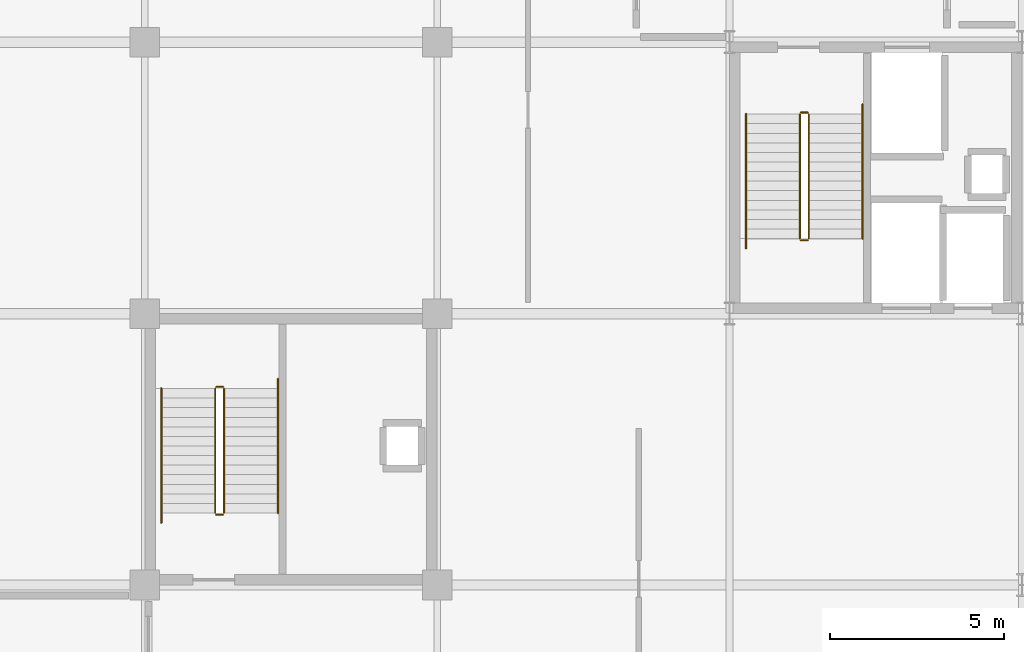
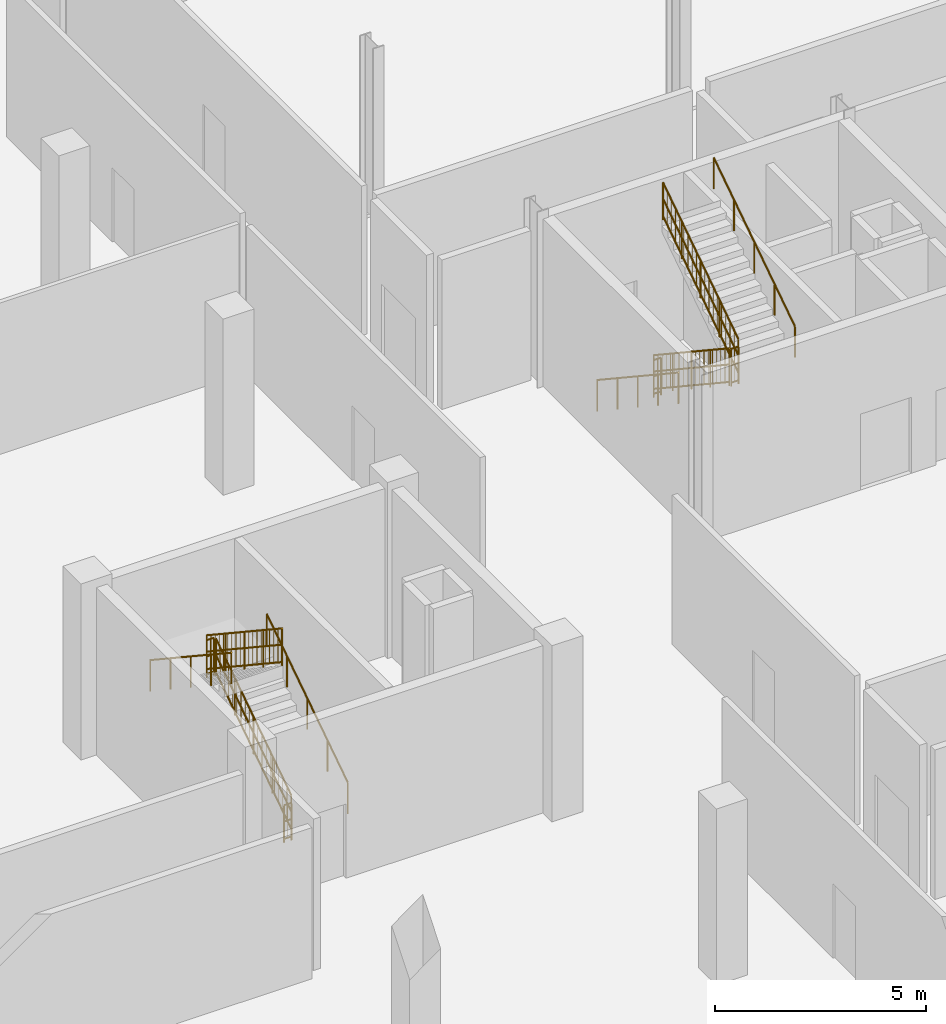
# One storey, part 79 of 80: 12 railings.
"""IFC4 building model written with IfcOpenShell, lengths in metres."""

from ifc_helpers import new_model, si_unit, direction, frame, origin, origin_2d, place, context, subcontext, project, spatial, circle, extrude, material, layer, layer_set, type_object, element, save


model = new_model("IFC4")

# Units and contexts
model_context = context("Model", 3, precision=1e-05, world=origin(), true_north=direction((0.0, 1.0)))
body_context = subcontext(model_context, "Body", "Model", "MODEL_VIEW")
ifc_project = project(units=[si_unit("LENGTHUNIT", "METRE"), si_unit("AREAUNIT", "SQUARE_METRE"), si_unit("VOLUMEUNIT", "CUBIC_METRE"), si_unit("PLANEANGLEUNIT", "RADIAN"), si_unit("MASSUNIT", "GRAM", prefix="KILO")], contexts=[model_context])

# Site, building, storey
site_placement = place(None, origin())
site = spatial("IfcSite", under=ifc_project, at=site_placement, CompositionType="ELEMENT")
building_placement = place(site_placement, origin())
building = spatial("IfcBuilding", under=site, at=building_placement, Name="Nabrawat Pavilion Hospital", CompositionType="ELEMENT")
storey_placement = place(building_placement, origin())
storey = spatial("IfcBuildingStorey", under=building, at=storey_placement, Name="L00", CompositionType="ELEMENT", Elevation=0.0)

# Railings
ifc_material = material(Name="Stainless Steel 316", Category="steel")
ifc_layer_1 = layer(ifc_material, 0.050048828125, Name="Stainless Steel 316")
ifc_layer_set_1 = layer_set([ifc_layer_1], Name="Stainless Steel 316")
railing_type_1 = type_object("IfcRailingType", Name="Stair Open-Well Safety Guardrail 1100", PredefinedType="GUARDRAIL", material=ifc_layer_set_1)
railing_1_placement = place(storey_placement, frame((170.02490234375, 75.929931640625, 0.18212890625)))
element("IfcRailing", 1, at=railing_1_placement, inside=storey, type_object=railing_type_1, Name="L00 ST-06 stair guard 1", PredefinedType="GUARDRAIL", context=body_context, shape_type="SweptSolid", body=[
    extrude(circle(Radius=0.02392578125, at=origin_2d()), frame((0.0, 0.0, 1.076171875), z_axis=(0.0, -0.833702089047, 0.552214475289), x_axis=(1.0, 0.0, 0.0)), (0.0, 0.0, 1.0), 4.2880859375),
    extrude(circle(Radius=0.02392578125, at=origin_2d()), frame((0.0, 0.0, 0.10009765625), z_axis=(0.0, -0.833702089047, 0.552214475289), x_axis=(1.0, 0.0, 0.0)), (0.0, 0.0, 1.0), 4.2880859375),
    extrude(circle(Radius=0.02392578125, at=origin_2d()), frame((0.0, 0.0, 0.60498046875), z_axis=(0.0, -0.833702089047, 0.552214475289), x_axis=(1.0, 0.0, 0.0)), (0.0, 0.0, 1.0), 4.2880859375),
    extrude(circle(Radius=0.008056640625, at=origin_2d()), frame((0.0, -0.19873046875, 0.2314453125)), (0.0, 0.0, 1.0), 0.951904296875),
    extrude(circle(Radius=0.008056640625, at=origin_2d()), frame((0.0, -0.397216796875, 0.363037109375)), (0.0, 0.0, 1.0), 0.951904296875),
    extrude(circle(Radius=0.008056640625, at=origin_2d()), frame((0.0, -0.595703125, 0.49462890625)), (0.0, 0.0, 1.0), 0.951904296875),
    extrude(circle(Radius=0.008056640625, at=origin_2d()), frame((0.0, -0.79443359375, 0.626220703125)), (0.0, 0.0, 1.0), 0.951904296875),
    extrude(circle(Radius=0.008056640625, at=origin_2d()), frame((0.0, -0.9931640625, 0.7578125)), (0.0, 0.0, 1.0), 0.951904296875),
    extrude(circle(Radius=0.008056640625, at=origin_2d()), frame((0.0, -1.191650390625, 0.889404296875)), (0.0, 0.0, 1.0), 0.951904296875),
    extrude(circle(Radius=0.008056640625, at=origin_2d()), frame((0.0, -1.39013671875, 1.020751953125)), (0.0, 0.0, 1.0), 0.951904296875),
    extrude(circle(Radius=0.008056640625, at=origin_2d()), frame((0.0, -1.5888671875, 1.15234375)), (0.0, 0.0, 1.0), 0.951904296875),
    extrude(circle(Radius=0.008056640625, at=origin_2d()), frame((0.0, -1.986083984375, 1.41552734375)), (0.0, 0.0, 1.0), 0.951904296875),
    extrude(circle(Radius=0.008056640625, at=origin_2d()), frame((0.0, -2.1845703125, 1.547119140625)), (0.0, 0.0, 1.0), 0.951904296875),
    extrude(circle(Radius=0.008056640625, at=origin_2d()), frame((0.0, -2.38330078125, 1.6787109375)), (0.0, 0.0, 1.0), 0.951904296875),
    extrude(circle(Radius=0.008056640625, at=origin_2d()), frame((0.0, -2.58203125, 1.81005859375)), (0.0, 0.0, 1.0), 0.951904296875),
    extrude(circle(Radius=0.008056640625, at=origin_2d()), frame((0.0, -2.780517578125, 1.941650390625)), (0.0, 0.0, 1.0), 0.951904296875),
    extrude(circle(Radius=0.008056640625, at=origin_2d()), frame((0.0, -2.97900390625, 2.0732421875)), (0.0, 0.0, 1.0), 0.951904296875),
    extrude(circle(Radius=0.008056640625, at=origin_2d()), frame((0.0, -3.177734375, 2.204833984375)), (0.0, 0.0, 1.0), 0.951904296875),
    extrude(circle(Radius=0.008056640625, at=origin_2d()), frame((0.0, -3.37646484375, 2.33642578125)), (0.0, 0.0, 1.0), 0.951904296875),
    extrude(circle(Radius=0.02099609375, at=origin_2d()), origin(), (0.0, 0.0, 1.0), 1.052001953125),
    extrude(circle(Radius=0.02099609375, at=origin_2d()), frame((0.0, -0.893798828125, 0.592041015625)), (0.0, 0.0, 1.0), 1.052001953125),
    extrude(circle(Radius=0.02099609375, at=origin_2d()), frame((0.0, -1.78759765625, 1.18408203125)), (0.0, 0.0, 1.0), 1.052001953125),
    extrude(circle(Radius=0.02099609375, at=origin_2d()), frame((0.0, -2.68115234375, 1.77587890625)), (0.0, 0.0, 1.0), 1.052001953125),
    extrude(circle(Radius=0.02099609375, at=origin_2d()), frame((0.0, -3.574951171875, 2.367919921875)), (0.0, 0.0, 1.0), 1.052001953125),
])
railing_2_placement = place(storey_placement, frame((170.050048828125, 72.304931640625, 2.550048828125)))
element("IfcRailing", 2, at=railing_2_placement, inside=storey, type_object=railing_type_1, Name="L00 ST-06 stair guard 2", PredefinedType="GUARDRAIL", context=body_context, shape_type="SweptSolid", body=[
    extrude(circle(Radius=0.02392578125, at=origin_2d()), frame((0.0, 0.0, 1.076171875), z_axis=(1.0, 0.0, 0.0), x_axis=(0.0, 1.0, 0.0)), (0.0, 0.0, 1.0), 0.199951171875),
    extrude(circle(Radius=0.02392578125, at=origin_2d()), frame((0.0, 0.0, 0.10009765625), z_axis=(1.0, 0.0, 0.0), x_axis=(0.0, 1.0, 0.0)), (0.0, 0.0, 1.0), 0.199951171875),
    extrude(circle(Radius=0.02392578125, at=origin_2d()), frame((0.0, 0.0, 0.60498046875), z_axis=(1.0, 0.0, 0.0), x_axis=(0.0, 1.0, 0.0)), (0.0, 0.0, 1.0), 0.199951171875),
    extrude(circle(Radius=0.008056640625, at=origin_2d()), frame((0.10009765625, 0.0, 0.10009765625)), (0.0, 0.0, 1.0), 0.951904296875),
    extrude(circle(Radius=0.02099609375, at=origin_2d()), origin(), (0.0, 0.0, 1.0), 1.052001953125),
    extrude(circle(Radius=0.02099609375, at=origin_2d()), frame((0.199951171875, 0.0, 0.0)), (0.0, 0.0, 1.0), 1.052001953125),
])
railing_3_placement = place(storey_placement, frame((170.27490234375, 72.35498046875, 2.732177734375)))
element("IfcRailing", 3, at=railing_3_placement, inside=storey, type_object=railing_type_1, Name="L00 ST-06 stair guard 3", PredefinedType="GUARDRAIL", context=body_context, shape_type="SweptSolid", body=[
    extrude(circle(Radius=0.02392578125, at=origin_2d()), frame((0.0, 0.0, 1.076171875), z_axis=(0.0, 0.833702089047, 0.552214475289), x_axis=(-1.0, 0.0, 0.0)), (0.0, 0.0, 1.0), 4.2880859375),
    extrude(circle(Radius=0.02392578125, at=origin_2d()), frame((0.0, 0.0, 0.10009765625), z_axis=(0.0, 0.833702089047, 0.552214475289), x_axis=(-1.0, 0.0, 0.0)), (0.0, 0.0, 1.0), 4.2880859375),
    extrude(circle(Radius=0.02392578125, at=origin_2d()), frame((0.0, 0.0, 0.60498046875), z_axis=(0.0, 0.833702089047, 0.552214475289), x_axis=(-1.0, 0.0, 0.0)), (0.0, 0.0, 1.0), 4.2880859375),
    extrude(circle(Radius=0.008056640625, at=origin_2d()), frame((0.0, 0.19873046875, 0.2314453125)), (0.0, 0.0, 1.0), 0.951904296875),
    extrude(circle(Radius=0.008056640625, at=origin_2d()), frame((0.0, 0.397216796875, 0.363037109375)), (0.0, 0.0, 1.0), 0.951904296875),
    extrude(circle(Radius=0.008056640625, at=origin_2d()), frame((0.0, 0.595703125, 0.49462890625)), (0.0, 0.0, 1.0), 0.951904296875),
    extrude(circle(Radius=0.008056640625, at=origin_2d()), frame((0.0, 0.79443359375, 0.626220703125)), (0.0, 0.0, 1.0), 0.951904296875),
    extrude(circle(Radius=0.008056640625, at=origin_2d()), frame((0.0, 0.9931640625, 0.7578125)), (0.0, 0.0, 1.0), 0.951904296875),
    extrude(circle(Radius=0.008056640625, at=origin_2d()), frame((0.0, 1.191650390625, 0.889404296875)), (0.0, 0.0, 1.0), 0.951904296875),
    extrude(circle(Radius=0.008056640625, at=origin_2d()), frame((0.0, 1.39013671875, 1.020751953125)), (0.0, 0.0, 1.0), 0.951904296875),
    extrude(circle(Radius=0.008056640625, at=origin_2d()), frame((0.0, 1.5888671875, 1.15234375)), (0.0, 0.0, 1.0), 0.951904296875),
    extrude(circle(Radius=0.008056640625, at=origin_2d()), frame((0.0, 1.986083984375, 1.41552734375)), (0.0, 0.0, 1.0), 0.951904296875),
    extrude(circle(Radius=0.008056640625, at=origin_2d()), frame((0.0, 2.1845703125, 1.547119140625)), (0.0, 0.0, 1.0), 0.951904296875),
    extrude(circle(Radius=0.008056640625, at=origin_2d()), frame((0.0, 2.38330078125, 1.6787109375)), (0.0, 0.0, 1.0), 0.951904296875),
    extrude(circle(Radius=0.008056640625, at=origin_2d()), frame((0.0, 2.58203125, 1.81005859375)), (0.0, 0.0, 1.0), 0.951904296875),
    extrude(circle(Radius=0.008056640625, at=origin_2d()), frame((0.0, 2.780517578125, 1.941650390625)), (0.0, 0.0, 1.0), 0.951904296875),
    extrude(circle(Radius=0.008056640625, at=origin_2d()), frame((0.0, 2.97900390625, 2.0732421875)), (0.0, 0.0, 1.0), 0.951904296875),
    extrude(circle(Radius=0.008056640625, at=origin_2d()), frame((0.0, 3.177734375, 2.204833984375)), (0.0, 0.0, 1.0), 0.951904296875),
    extrude(circle(Radius=0.008056640625, at=origin_2d()), frame((0.0, 3.37646484375, 2.33642578125)), (0.0, 0.0, 1.0), 0.951904296875),
    extrude(circle(Radius=0.02099609375, at=origin_2d()), origin(), (0.0, 0.0, 1.0), 1.052001953125),
    extrude(circle(Radius=0.02099609375, at=origin_2d()), frame((0.0, 0.893798828125, 0.592041015625)), (0.0, 0.0, 1.0), 1.052001953125),
    extrude(circle(Radius=0.02099609375, at=origin_2d()), frame((0.0, 1.78759765625, 1.18408203125)), (0.0, 0.0, 1.0), 1.052001953125),
    extrude(circle(Radius=0.02099609375, at=origin_2d()), frame((0.0, 2.68115234375, 1.77587890625)), (0.0, 0.0, 1.0), 1.052001953125),
    extrude(circle(Radius=0.02099609375, at=origin_2d()), frame((0.0, 3.574951171875, 2.367919921875)), (0.0, 0.0, 1.0), 1.052001953125),
])
railing_4_placement = place(storey_placement, frame((170.050048828125, 75.97998046875, 0.0)))
element("IfcRailing", 4, at=railing_4_placement, inside=storey, type_object=railing_type_1, Name="L00 ST-06 stair guard 4", PredefinedType="GUARDRAIL", context=body_context, shape_type="SweptSolid", body=[
    extrude(circle(Radius=0.02392578125, at=origin_2d()), frame((0.0, 0.0, 1.076171875), z_axis=(1.0, 0.0, 0.0), x_axis=(0.0, 1.0, 0.0)), (0.0, 0.0, 1.0), 0.199951171875),
    extrude(circle(Radius=0.02392578125, at=origin_2d()), frame((0.0, 0.0, 0.10009765625), z_axis=(1.0, 0.0, 0.0), x_axis=(0.0, 1.0, 0.0)), (0.0, 0.0, 1.0), 0.199951171875),
    extrude(circle(Radius=0.02392578125, at=origin_2d()), frame((0.0, 0.0, 0.60498046875), z_axis=(1.0, 0.0, 0.0), x_axis=(0.0, 1.0, 0.0)), (0.0, 0.0, 1.0), 0.199951171875),
    extrude(circle(Radius=0.008056640625, at=origin_2d()), frame((0.10009765625, 0.0, 0.10009765625)), (0.0, 0.0, 1.0), 0.951904296875),
    extrude(circle(Radius=0.02099609375, at=origin_2d()), origin(), (0.0, 0.0, 1.0), 1.052001953125),
    extrude(circle(Radius=0.02099609375, at=origin_2d()), frame((0.199951171875, 0.0, 0.0)), (0.0, 0.0, 1.0), 1.052001953125),
])
railing_5_placement = place(storey_placement, frame((153.47509765625, 64.469970703125, 0.18212890625)))
element("IfcRailing", 5, at=railing_5_placement, inside=storey, type_object=railing_type_1, Name="L00 ST-09 stair guard 1", PredefinedType="GUARDRAIL", context=body_context, shape_type="SweptSolid", body=[
    extrude(circle(Radius=0.02392578125, at=origin_2d()), frame((0.0, 0.0, 1.076171875), z_axis=(0.0, 0.833702089047, 0.552214475289), x_axis=(-1.0, 0.0, 0.0)), (0.0, 0.0, 1.0), 4.2880859375),
    extrude(circle(Radius=0.02392578125, at=origin_2d()), frame((0.0, 0.0, 0.10009765625), z_axis=(0.0, 0.833702089047, 0.552214475289), x_axis=(-1.0, 0.0, 0.0)), (0.0, 0.0, 1.0), 4.2880859375),
    extrude(circle(Radius=0.02392578125, at=origin_2d()), frame((0.0, 0.0, 0.60498046875), z_axis=(0.0, 0.833702089047, 0.552214475289), x_axis=(-1.0, 0.0, 0.0)), (0.0, 0.0, 1.0), 4.2880859375),
    extrude(circle(Radius=0.008056640625, at=origin_2d()), frame((0.0, 0.19873046875, 0.2314453125)), (0.0, 0.0, 1.0), 0.951904296875),
    extrude(circle(Radius=0.008056640625, at=origin_2d()), frame((0.0, 0.397216796875, 0.363037109375)), (0.0, 0.0, 1.0), 0.951904296875),
    extrude(circle(Radius=0.008056640625, at=origin_2d()), frame((0.0, 0.595703125, 0.49462890625)), (0.0, 0.0, 1.0), 0.951904296875),
    extrude(circle(Radius=0.008056640625, at=origin_2d()), frame((0.0, 0.79443359375, 0.626220703125)), (0.0, 0.0, 1.0), 0.951904296875),
    extrude(circle(Radius=0.008056640625, at=origin_2d()), frame((0.0, 0.9931640625, 0.7578125)), (0.0, 0.0, 1.0), 0.951904296875),
    extrude(circle(Radius=0.008056640625, at=origin_2d()), frame((0.0, 1.191650390625, 0.889404296875)), (0.0, 0.0, 1.0), 0.951904296875),
    extrude(circle(Radius=0.008056640625, at=origin_2d()), frame((0.0, 1.39013671875, 1.020751953125)), (0.0, 0.0, 1.0), 0.951904296875),
    extrude(circle(Radius=0.008056640625, at=origin_2d()), frame((0.0, 1.5888671875, 1.15234375)), (0.0, 0.0, 1.0), 0.951904296875),
    extrude(circle(Radius=0.008056640625, at=origin_2d()), frame((0.0, 1.986083984375, 1.41552734375)), (0.0, 0.0, 1.0), 0.951904296875),
    extrude(circle(Radius=0.008056640625, at=origin_2d()), frame((0.0, 2.1845703125, 1.547119140625)), (0.0, 0.0, 1.0), 0.951904296875),
    extrude(circle(Radius=0.008056640625, at=origin_2d()), frame((0.0, 2.38330078125, 1.6787109375)), (0.0, 0.0, 1.0), 0.951904296875),
    extrude(circle(Radius=0.008056640625, at=origin_2d()), frame((0.0, 2.58203125, 1.81005859375)), (0.0, 0.0, 1.0), 0.951904296875),
    extrude(circle(Radius=0.008056640625, at=origin_2d()), frame((0.0, 2.780517578125, 1.941650390625)), (0.0, 0.0, 1.0), 0.951904296875),
    extrude(circle(Radius=0.008056640625, at=origin_2d()), frame((0.0, 2.97900390625, 2.0732421875)), (0.0, 0.0, 1.0), 0.951904296875),
    extrude(circle(Radius=0.008056640625, at=origin_2d()), frame((0.0, 3.177734375, 2.204833984375)), (0.0, 0.0, 1.0), 0.951904296875),
    extrude(circle(Radius=0.008056640625, at=origin_2d()), frame((0.0, 3.37646484375, 2.33642578125)), (0.0, 0.0, 1.0), 0.951904296875),
    extrude(circle(Radius=0.02099609375, at=origin_2d()), origin(), (0.0, 0.0, 1.0), 1.052001953125),
    extrude(circle(Radius=0.02099609375, at=origin_2d()), frame((0.0, 0.893798828125, 0.592041015625)), (0.0, 0.0, 1.0), 1.052001953125),
    extrude(circle(Radius=0.02099609375, at=origin_2d()), frame((0.0, 1.78759765625, 1.18408203125)), (0.0, 0.0, 1.0), 1.052001953125),
    extrude(circle(Radius=0.02099609375, at=origin_2d()), frame((0.0, 2.68115234375, 1.77587890625)), (0.0, 0.0, 1.0), 1.052001953125),
    extrude(circle(Radius=0.02099609375, at=origin_2d()), frame((0.0, 3.574951171875, 2.367919921875)), (0.0, 0.0, 1.0), 1.052001953125),
])
railing_6_placement = place(storey_placement, frame((153.449951171875, 68.094970703125, 2.550048828125)))
element("IfcRailing", 6, at=railing_6_placement, inside=storey, type_object=railing_type_1, Name="L00 ST-09 stair guard 2", PredefinedType="GUARDRAIL", context=body_context, shape_type="SweptSolid", body=[
    extrude(circle(Radius=0.02392578125, at=origin_2d()), frame((0.0, 0.0, 1.076171875), z_axis=(-1.0, 0.0, 0.0), x_axis=(0.0, -1.0, 0.0)), (0.0, 0.0, 1.0), 0.199951171875),
    extrude(circle(Radius=0.02392578125, at=origin_2d()), frame((0.0, 0.0, 0.10009765625), z_axis=(-1.0, 0.0, 0.0), x_axis=(0.0, -1.0, 0.0)), (0.0, 0.0, 1.0), 0.199951171875),
    extrude(circle(Radius=0.02392578125, at=origin_2d()), frame((0.0, 0.0, 0.60498046875), z_axis=(-1.0, 0.0, 0.0), x_axis=(0.0, -1.0, 0.0)), (0.0, 0.0, 1.0), 0.199951171875),
    extrude(circle(Radius=0.008056640625, at=origin_2d()), frame((-0.10009765625, 0.0, 0.10009765625)), (0.0, 0.0, 1.0), 0.951904296875),
    extrude(circle(Radius=0.02099609375, at=origin_2d()), origin(), (0.0, 0.0, 1.0), 1.052001953125),
    extrude(circle(Radius=0.02099609375, at=origin_2d()), frame((-0.199951171875, 0.0, 0.0)), (0.0, 0.0, 1.0), 1.052001953125),
])
railing_7_placement = place(storey_placement, frame((153.22509765625, 68.044921875, 2.732177734375)))
element("IfcRailing", 7, at=railing_7_placement, inside=storey, type_object=railing_type_1, Name="L00 ST-09 stair guard 3", PredefinedType="GUARDRAIL", context=body_context, shape_type="SweptSolid", body=[
    extrude(circle(Radius=0.02392578125, at=origin_2d()), frame((0.0, 0.0, 1.076171875), z_axis=(0.0, -0.833702089047, 0.552214475289), x_axis=(1.0, 0.0, 0.0)), (0.0, 0.0, 1.0), 4.2880859375),
    extrude(circle(Radius=0.02392578125, at=origin_2d()), frame((0.0, 0.0, 0.10009765625), z_axis=(0.0, -0.833702089047, 0.552214475289), x_axis=(1.0, 0.0, 0.0)), (0.0, 0.0, 1.0), 4.2880859375),
    extrude(circle(Radius=0.02392578125, at=origin_2d()), frame((0.0, 0.0, 0.60498046875), z_axis=(0.0, -0.833702089047, 0.552214475289), x_axis=(1.0, 0.0, 0.0)), (0.0, 0.0, 1.0), 4.2880859375),
    extrude(circle(Radius=0.008056640625, at=origin_2d()), frame((0.0, -0.19873046875, 0.2314453125)), (0.0, 0.0, 1.0), 0.951904296875),
    extrude(circle(Radius=0.008056640625, at=origin_2d()), frame((0.0, -0.397216796875, 0.363037109375)), (0.0, 0.0, 1.0), 0.951904296875),
    extrude(circle(Radius=0.008056640625, at=origin_2d()), frame((0.0, -0.595703125, 0.49462890625)), (0.0, 0.0, 1.0), 0.951904296875),
    extrude(circle(Radius=0.008056640625, at=origin_2d()), frame((0.0, -0.79443359375, 0.626220703125)), (0.0, 0.0, 1.0), 0.951904296875),
    extrude(circle(Radius=0.008056640625, at=origin_2d()), frame((0.0, -0.9931640625, 0.7578125)), (0.0, 0.0, 1.0), 0.951904296875),
    extrude(circle(Radius=0.008056640625, at=origin_2d()), frame((0.0, -1.191650390625, 0.889404296875)), (0.0, 0.0, 1.0), 0.951904296875),
    extrude(circle(Radius=0.008056640625, at=origin_2d()), frame((0.0, -1.39013671875, 1.020751953125)), (0.0, 0.0, 1.0), 0.951904296875),
    extrude(circle(Radius=0.008056640625, at=origin_2d()), frame((0.0, -1.5888671875, 1.15234375)), (0.0, 0.0, 1.0), 0.951904296875),
    extrude(circle(Radius=0.008056640625, at=origin_2d()), frame((0.0, -1.986083984375, 1.41552734375)), (0.0, 0.0, 1.0), 0.951904296875),
    extrude(circle(Radius=0.008056640625, at=origin_2d()), frame((0.0, -2.1845703125, 1.547119140625)), (0.0, 0.0, 1.0), 0.951904296875),
    extrude(circle(Radius=0.008056640625, at=origin_2d()), frame((0.0, -2.38330078125, 1.6787109375)), (0.0, 0.0, 1.0), 0.951904296875),
    extrude(circle(Radius=0.008056640625, at=origin_2d()), frame((0.0, -2.58203125, 1.81005859375)), (0.0, 0.0, 1.0), 0.951904296875),
    extrude(circle(Radius=0.008056640625, at=origin_2d()), frame((0.0, -2.780517578125, 1.941650390625)), (0.0, 0.0, 1.0), 0.951904296875),
    extrude(circle(Radius=0.008056640625, at=origin_2d()), frame((0.0, -2.97900390625, 2.0732421875)), (0.0, 0.0, 1.0), 0.951904296875),
    extrude(circle(Radius=0.008056640625, at=origin_2d()), frame((0.0, -3.177734375, 2.204833984375)), (0.0, 0.0, 1.0), 0.951904296875),
    extrude(circle(Radius=0.008056640625, at=origin_2d()), frame((0.0, -3.37646484375, 2.33642578125)), (0.0, 0.0, 1.0), 0.951904296875),
    extrude(circle(Radius=0.02099609375, at=origin_2d()), origin(), (0.0, 0.0, 1.0), 1.052001953125),
    extrude(circle(Radius=0.02099609375, at=origin_2d()), frame((0.0, -0.893798828125, 0.592041015625)), (0.0, 0.0, 1.0), 1.052001953125),
    extrude(circle(Radius=0.02099609375, at=origin_2d()), frame((0.0, -1.78759765625, 1.18408203125)), (0.0, 0.0, 1.0), 1.052001953125),
    extrude(circle(Radius=0.02099609375, at=origin_2d()), frame((0.0, -2.68115234375, 1.77587890625)), (0.0, 0.0, 1.0), 1.052001953125),
    extrude(circle(Radius=0.02099609375, at=origin_2d()), frame((0.0, -3.574951171875, 2.367919921875)), (0.0, 0.0, 1.0), 1.052001953125),
])
railing_8_placement = place(storey_placement, frame((153.449951171875, 64.419921875, 0.0)))
element("IfcRailing", 8, at=railing_8_placement, inside=storey, type_object=railing_type_1, Name="L00 ST-09 stair guard 4", PredefinedType="GUARDRAIL", context=body_context, shape_type="SweptSolid", body=[
    extrude(circle(Radius=0.02392578125, at=origin_2d()), frame((0.0, 0.0, 1.076171875), z_axis=(-1.0, 0.0, 0.0), x_axis=(0.0, -1.0, 0.0)), (0.0, 0.0, 1.0), 0.199951171875),
    extrude(circle(Radius=0.02392578125, at=origin_2d()), frame((0.0, 0.0, 0.10009765625), z_axis=(-1.0, 0.0, 0.0), x_axis=(0.0, -1.0, 0.0)), (0.0, 0.0, 1.0), 0.199951171875),
    extrude(circle(Radius=0.02392578125, at=origin_2d()), frame((0.0, 0.0, 0.60498046875), z_axis=(-1.0, 0.0, 0.0), x_axis=(0.0, -1.0, 0.0)), (0.0, 0.0, 1.0), 0.199951171875),
    extrude(circle(Radius=0.008056640625, at=origin_2d()), frame((-0.10009765625, 0.0, 0.10009765625)), (0.0, 0.0, 1.0), 0.951904296875),
    extrude(circle(Radius=0.02099609375, at=origin_2d()), origin(), (0.0, 0.0, 1.0), 1.052001953125),
    extrude(circle(Radius=0.02099609375, at=origin_2d()), frame((-0.199951171875, 0.0, 0.0)), (0.0, 0.0, 1.0), 1.052001953125),
])
ifc_layer_2 = layer(ifc_material, 0.044921875, Name="Stainless Steel 316")
ifc_layer_set_2 = layer_set([ifc_layer_2], Name="Stainless Steel 316")
railing_type_2 = type_object("IfcRailingType", Name="Stair Pitch Continuous Handrail 920", PredefinedType="HANDRAIL", material=ifc_layer_set_2)
railing_9_placement = place(storey_placement, frame((168.47509765625, 75.929931640625, 0.18603515625)))
element("IfcRailing", 9, at=railing_9_placement, inside=storey, type_object=railing_type_2, Name="L00 ST-06 stair handrail 1", PredefinedType="HANDRAIL", context=body_context, shape_type="SweptSolid", body=[
    extrude(circle(Radius=0.02392578125, at=origin_2d()), frame((0.0, 0.0, 0.89599609375), z_axis=(0.0, -0.833697760554, 0.552221010146), x_axis=(1.0, 0.0, 0.0)), (0.0, 0.0, 1.0), 4.617919921875),
    extrude(circle(Radius=0.02099609375, at=origin_2d()), origin(), (0.0, 0.0, 1.0), 0.871826171875),
    extrude(circle(Radius=0.02099609375, at=origin_2d()), frame((0.0, -0.96240234375, 0.637451171875)), (0.0, 0.0, 1.0), 0.871826171875),
    extrude(circle(Radius=0.02099609375, at=origin_2d()), frame((0.0, -1.9248046875, 1.27490234375)), (0.0, 0.0, 1.0), 0.871826171875),
    extrude(circle(Radius=0.02099609375, at=origin_2d()), frame((0.0, -2.887451171875, 1.91259765625)), (0.0, 0.0, 1.0), 0.871826171875),
    extrude(circle(Radius=0.02099609375, at=origin_2d()), frame((0.0, -3.849853515625, 2.550048828125)), (0.0, 0.0, 1.0), 0.871826171875),
])
for number, where, name in (
    (10, (171.824951171875, 72.35498046875, 2.736083984375), "L00 ST-06 stair handrail 2"),
    (11, (155.02490234375, 64.469970703125, 0.18603515625), "L00 ST-09 stair handrail 1"),
):
    element("IfcRailing", number, at=place(storey_placement, frame(where)), inside=storey, type_object=railing_type_2, Name=name, PredefinedType="HANDRAIL", context=body_context, shape_type="SweptSolid", body=[
        extrude(circle(Radius=0.02392578125, at=origin_2d()), frame((0.0, 0.0, 0.89599609375), z_axis=(0.0, 0.833713881912, 0.552196670677), x_axis=(-1.0, 0.0, 0.0)), (0.0, 0.0, 1.0), 4.617919921875),
        extrude(circle(Radius=0.02099609375, at=origin_2d()), origin(), (0.0, 0.0, 1.0), 0.871826171875),
        extrude(circle(Radius=0.02099609375, at=origin_2d()), frame((0.0, 0.96240234375, 0.637451171875)), (0.0, 0.0, 1.0), 0.871826171875),
        extrude(circle(Radius=0.02099609375, at=origin_2d()), frame((0.0, 1.925048828125, 1.27490234375)), (0.0, 0.0, 1.0), 0.871826171875),
        extrude(circle(Radius=0.02099609375, at=origin_2d()), frame((0.0, 2.8876953125, 1.91259765625)), (0.0, 0.0, 1.0), 0.871826171875),
        extrude(circle(Radius=0.02099609375, at=origin_2d()), frame((0.0, 3.85009765625, 2.550048828125)), (0.0, 0.0, 1.0), 0.871826171875),
    ])
railing_10_placement = place(storey_placement, frame((151.675048828125, 68.044921875, 2.736083984375)))
element("IfcRailing", 12, at=railing_10_placement, inside=storey, type_object=railing_type_2, Name="L00 ST-09 stair handrail 2", PredefinedType="HANDRAIL", context=body_context, shape_type="SweptSolid", body=[
    extrude(circle(Radius=0.02392578125, at=origin_2d()), frame((0.0, 0.0, 0.89599609375), z_axis=(0.0, -0.833697760554, 0.552221010146), x_axis=(1.0, 0.0, 0.0)), (0.0, 0.0, 1.0), 4.617919921875),
    extrude(circle(Radius=0.02099609375, at=origin_2d()), origin(), (0.0, 0.0, 1.0), 0.871826171875),
    extrude(circle(Radius=0.02099609375, at=origin_2d()), frame((0.0, -0.96240234375, 0.637451171875)), (0.0, 0.0, 1.0), 0.871826171875),
    extrude(circle(Radius=0.02099609375, at=origin_2d()), frame((0.0, -1.9248046875, 1.27490234375)), (0.0, 0.0, 1.0), 0.871826171875),
    extrude(circle(Radius=0.02099609375, at=origin_2d()), frame((0.0, -2.887451171875, 1.91259765625)), (0.0, 0.0, 1.0), 0.871826171875),
    extrude(circle(Radius=0.02099609375, at=origin_2d()), frame((0.0, -3.849853515625, 2.550048828125)), (0.0, 0.0, 1.0), 0.871826171875),
])

save(model, "model.ifc")
